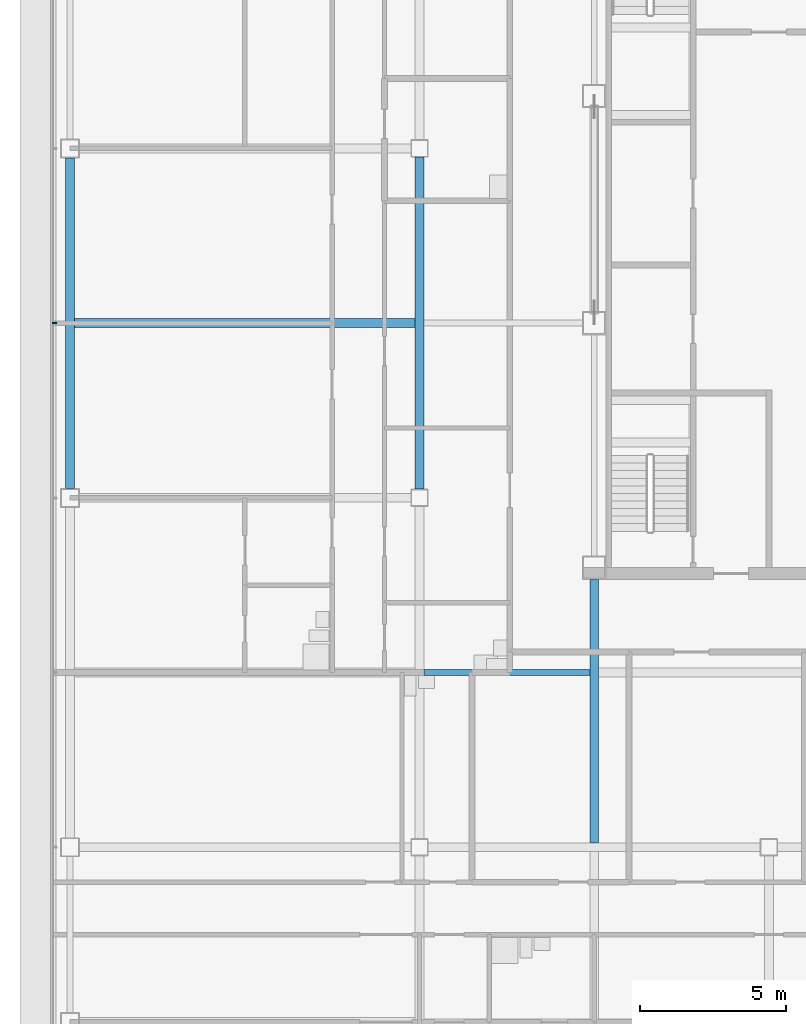
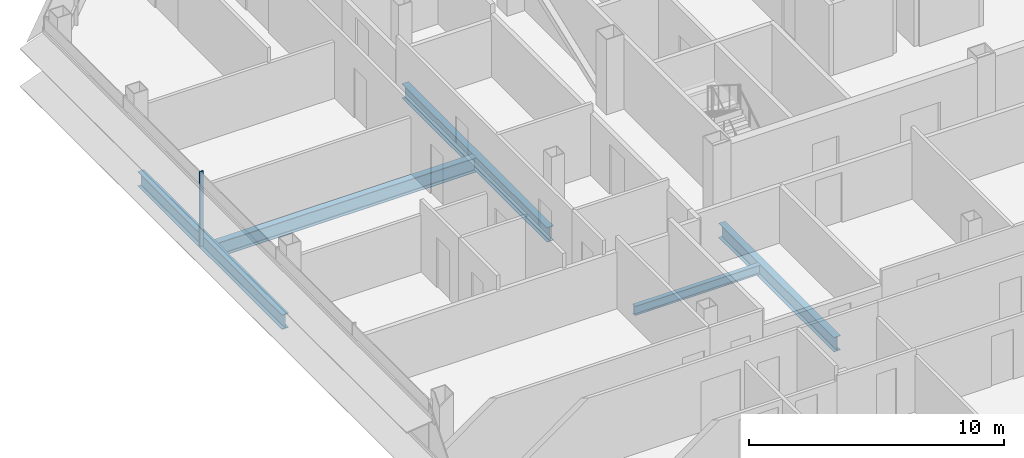
# One storey, part 6 of 26: 5 beams, 1 member, 1 element without a shape of its own.
"""IFC4 building model written with IfcOpenShell, lengths in metres."""

from ifc_helpers import new_model, si_unit, direction, frame, origin, origin_2d, place, context, subcontext, project, spatial, rectangle, i_section, extrude, material, material_profile, profile_set, type_object, element, aggregate, save


model = new_model("IFC4")

# Units and contexts
model_context = context("Model", 3, precision=1e-05, world=origin(), true_north=direction((0.0, 1.0)))
body_context = subcontext(model_context, "Body", "Model", "MODEL_VIEW")
ifc_project = project(units=[si_unit("LENGTHUNIT", "METRE"), si_unit("AREAUNIT", "SQUARE_METRE"), si_unit("VOLUMEUNIT", "CUBIC_METRE"), si_unit("PLANEANGLEUNIT", "RADIAN"), si_unit("MASSUNIT", "GRAM", prefix="KILO")], contexts=[model_context])

# Site, building, storey
site_placement = place(None, origin())
site = spatial("IfcSite", under=ifc_project, at=site_placement, CompositionType="ELEMENT")
building_placement = place(site_placement, origin())
building = spatial("IfcBuilding", under=site, at=building_placement, Name="Sorahane Residences", CompositionType="ELEMENT")
storey_placement = place(building_placement, frame((0.0, 0.0, 222.60009765625)))
storey = spatial("IfcBuildingStorey", under=building, at=storey_placement, Name="L52", CompositionType="ELEMENT", Elevation=222.60009765625)

# Curtain wall, member
ifc_material_1 = material(Name="Dark low-e glass and black anodised aluminium", Category="aluminium")
curtain_wall_type = type_object("IfcCurtainWallType", Name="Curtain wall CW-1 Typical unitised wall", PredefinedType="NOTDEFINED", material=ifc_material_1)
curtain_wall_placement = place(storey_placement, origin())
curtain_wall = element("IfcCurtainWall", 1, at=curtain_wall_placement, inside=storey, type_object=curtain_wall_type, Name="CW-1 curtain wall L52 W1", PredefinedType="NOTDEFINED")
ifc_material_2 = material(Name="Black anodised aluminium", Category="aluminium")
ifc_material_profile_1 = material_profile(ifc_material_2, rectangle(XDim=0.159912109375, YDim=0.050048828125, at=origin_2d()), Name="Curtain wall mullion CW-1 black anodised aluminium 50x160")
ifc_profile_set_1 = profile_set([ifc_material_profile_1], Name="Black anodised aluminium")
member_type = type_object("IfcMemberType", Name="Curtain wall mullion CW-1 black anodised aluminium 50x160", PredefinedType="MULLION", material=ifc_profile_set_1)
member_placement = place(storey_placement, frame((-12.5400390625, 30.0, -0.18017578125), z_axis=(0.0, 0.0, 1.0), x_axis=(-1.0, 0.0, 0.0)))
member = element("IfcMember", 2, at=member_placement, type_object=member_type, Name="CW-1 mullion L52 W1.3", PredefinedType="MULLION", context=body_context, shape_type="SweptSolid", body=[
    extrude(rectangle(XDim=0.159912109375, YDim=0.050048828125, at=origin_2d()), origin(), (0.0, 0.0, 1.0), 3.60009765625),
])
aggregate(curtain_wall, [member])

# Beams
ifc_material_3 = material(Name="Steel Q355B", Category="steel")
ifc_material_profile_2 = material_profile(ifc_material_3, i_section(OverallWidth=0.199951171875, OverallDepth=0.449951171875, WebThickness=0.009033203125, FlangeThickness=0.013916015625, FilletRadius=0.02001953125, at=origin_2d()), Name="HN 450x200x9x14")
ifc_profile_set_2 = profile_set([ifc_material_profile_2], Name="Steel Q355B")
beam_type_1 = type_object("IfcBeamType", Name="Steel floor beam HN 450x200x9x14 Q355B", PredefinedType="BEAM", material=ifc_profile_set_2)
beam_1_placement = place(storey_placement, frame((0.14990234375, 18.0, -0.405029296875), z_axis=(1.0, 0.0, 0.0), x_axis=(0.0, 1.0, 0.0)))
element("IfcBeam", 3, at=beam_1_placement, inside=storey, type_object=beam_type_1, Name="Beam L52 079", PredefinedType="BEAM", context=body_context, shape_type="SweptSolid", body=[
    extrude(i_section(OverallWidth=0.199951171875, OverallDepth=0.449951171875, WebThickness=0.009033203125, FlangeThickness=0.013916015625, FilletRadius=0.02001953125, at=origin_2d()), origin(), (0.0, 0.0, 1.0), 5.7001953125),
])
ifc_material_4 = material(Name="Steel Q355B", Category="steel")
ifc_material_profile_3 = material_profile(ifc_material_4, i_section(OverallWidth=0.300048828125, OverallDepth=0.699951171875, WebThickness=0.012939453125, FlangeThickness=0.02392578125, FilletRadius=0.028076171875, at=origin_2d()), Name="HN 700x300x13x24")
ifc_profile_set_3 = profile_set([ifc_material_profile_3], Name="Steel Q355B")
beam_type_2 = type_object("IfcBeamType", Name="Steel floor beam HN 700x300x13x24 Q355B", PredefinedType="BEAM", material=ifc_profile_set_3)
beam_2_placement = place(storey_placement, frame((-12.0, 24.324951171875, -0.530029296875), z_axis=(0.0, 1.0, 0.0), x_axis=(-1.0, 0.0, 0.0)))
element("IfcBeam", 4, at=beam_2_placement, inside=storey, type_object=beam_type_2, Name="Beam L52 022", PredefinedType="BEAM", context=body_context, shape_type="SweptSolid", body=[
    extrude(i_section(OverallWidth=0.300048828125, OverallDepth=0.699951171875, WebThickness=0.012939453125, FlangeThickness=0.02392578125, FilletRadius=0.028076171875, at=origin_2d()), origin(), (0.0, 0.0, 1.0), 11.35009765625),
])
beam_3_placement = place(storey_placement, frame((0.0, 24.300048828125, -0.530029296875), z_axis=(0.0, 1.0, 0.0), x_axis=(-1.0, 0.0, 0.0)))
element("IfcBeam", 5, at=beam_3_placement, inside=storey, type_object=beam_type_2, Name="Beam L52 026", PredefinedType="BEAM", context=body_context, shape_type="SweptSolid", body=[
    extrude(i_section(OverallWidth=0.300048828125, OverallDepth=0.699951171875, WebThickness=0.012939453125, FlangeThickness=0.02392578125, FilletRadius=0.028076171875, at=origin_2d()), origin(), (0.0, 0.0, 1.0), 11.39990234375),
])
beam_4_placement = place(storey_placement, frame((6.0, 12.14990234375, -0.530029296875), z_axis=(0.0, 1.0, 0.0), x_axis=(-1.0, 0.0, 0.0)))
element("IfcBeam", 6, at=beam_4_placement, inside=storey, type_object=beam_type_2, Name="Beam L52 029", PredefinedType="BEAM", context=body_context, shape_type="SweptSolid", body=[
    extrude(i_section(OverallWidth=0.300048828125, OverallDepth=0.699951171875, WebThickness=0.012939453125, FlangeThickness=0.02392578125, FilletRadius=0.028076171875, at=origin_2d()), origin(), (0.0, 0.0, 1.0), 9.050048828125),
])
beam_5_placement = place(storey_placement, frame((-11.85009765625, 30.0, -0.530029296875), z_axis=(1.0, 0.0, 0.0), x_axis=(0.0, 1.0, 0.0)))
element("IfcBeam", 7, at=beam_5_placement, inside=storey, type_object=beam_type_2, Name="Beam L52 085", PredefinedType="BEAM", context=body_context, shape_type="SweptSolid", body=[
    extrude(i_section(OverallWidth=0.300048828125, OverallDepth=0.699951171875, WebThickness=0.012939453125, FlangeThickness=0.02392578125, FilletRadius=0.028076171875, at=origin_2d()), origin(), (0.0, 0.0, 1.0), 11.7001953125),
])

save(model, "model.ifc")
